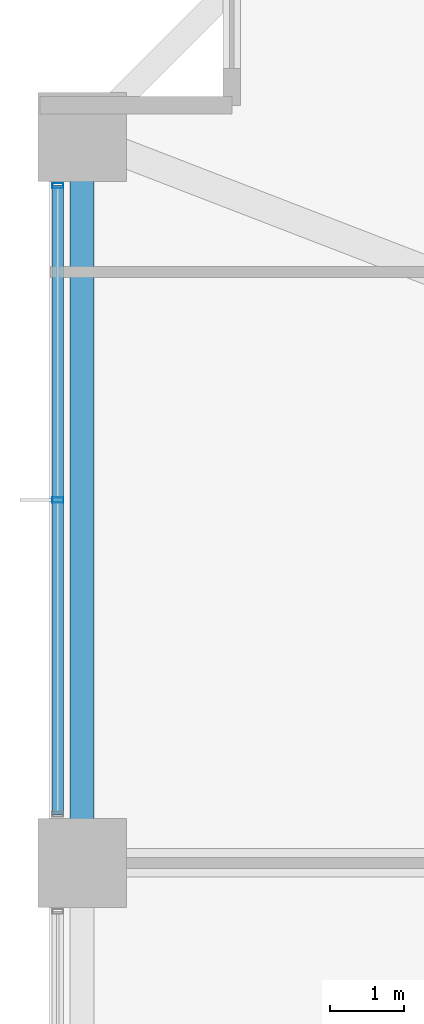
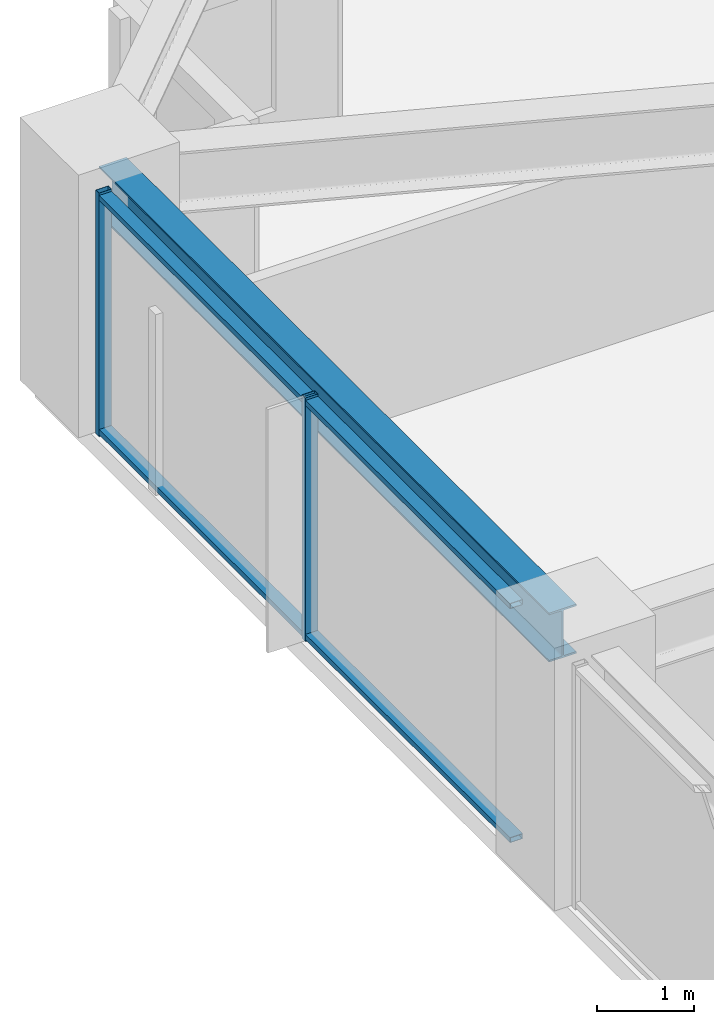
# One storey, part 17 of 38: 4 members, 1 beam, 1 element without a shape of its own.
"""IFC4 building model written with IfcOpenShell, lengths in metres."""

from ifc_helpers import new_model, si_unit, direction, frame, origin, origin_2d, place, context, subcontext, project, spatial, hollow_rectangle, i_section, extrude, material, material_profile, profile_set, type_object, element, aggregate, save


model = new_model("IFC4")

# Units and contexts
model_context = context("Model", 3, precision=1e-05, world=origin(), true_north=direction((0.0, 1.0)))
body_context = subcontext(model_context, "Body", "Model", "MODEL_VIEW")
ifc_project = project(units=[si_unit("LENGTHUNIT", "METRE"), si_unit("AREAUNIT", "SQUARE_METRE"), si_unit("VOLUMEUNIT", "CUBIC_METRE"), si_unit("PLANEANGLEUNIT", "RADIAN"), si_unit("MASSUNIT", "GRAM", prefix="KILO")], contexts=[model_context])

# Site, building, storey
site_placement = place(None, origin())
site = spatial("IfcSite", under=ifc_project, at=site_placement, CompositionType="ELEMENT")
building_placement = place(site_placement, origin())
building = spatial("IfcBuilding", under=site, at=building_placement, Name="Kolvaren Belvedere", CompositionType="ELEMENT")
storey_placement = place(building_placement, frame((0.0, 0.0, 30.39990234375)))
storey = spatial("IfcBuildingStorey", under=building, at=storey_placement, Name="L08", CompositionType="ELEMENT", Elevation=30.39990234375)

# Beam
ifc_material_1 = material(Name="Structural steel ASTM A992 Grade 50", Category="steel")
ifc_material_profile_1 = material_profile(ifc_material_1, i_section(OverallWidth=0.324951171875, OverallDepth=0.615966796875, WebThickness=0.013916015625, FlangeThickness=0.021484375, FilletRadius=0.02001953125, at=origin_2d()), Name="W24X117")
ifc_profile_set_1 = profile_set([ifc_material_profile_1], Name="Structural steel ASTM A992 Grade 50")
beam_type = type_object("IfcBeamType", Name="BM-SPAN-W24X117", PredefinedType="SPANDREL", material=ifc_profile_set_1)
beam_placement = place(storey_placement, frame((-21.550048828125, 14.1298828125, 2.752197265625), z_axis=(0.0, -1.0, 0.0), x_axis=(1.0, 0.0, 0.0)))
element("IfcBeam", 1, at=beam_placement, inside=storey, type_object=beam_type, Name="L08 Perimeter Spandrel W4-W3", PredefinedType="SPANDREL", context=body_context, shape_type="SweptSolid", body=[
    extrude(i_section(OverallWidth=0.324951171875, OverallDepth=0.615966796875, WebThickness=0.013916015625, FlangeThickness=0.021484375, FilletRadius=0.02001953125, at=origin_2d()), origin(), (0.0, 0.0, 1.0), 9.259765625),
])

# Curtain wall, members
ifc_material_2 = material(Name="Anodised pale-metal aluminium AA 6063-T6", Category="aluminium")
curtain_wall_type = type_object("IfcCurtainWallType", Name="CW-Z1-LOW", PredefinedType="NOTDEFINED", material=ifc_material_2)
curtain_wall_placement = place(storey_placement, origin())
curtain_wall = element("IfcCurtainWall", 2, at=curtain_wall_placement, inside=storey, type_object=curtain_wall_type, Name="L08 Unitised Curtain Wall FCW-L08-W-B3", PredefinedType="NOTDEFINED")
ifc_material_3 = material(Name="Anodised pale-metal aluminium AA 6063-T6", Category="aluminium")
ifc_material_profile_2 = material_profile(ifc_material_3, hollow_rectangle(XDim=0.070068359375, YDim=0.14990234375, WallThickness=0.004150390625, at=origin_2d()), Name="ALU-MUL-150X70")
ifc_profile_set_2 = profile_set([ifc_material_profile_2], Name="Anodised pale-metal aluminium AA 6063-T6")
member_type_1 = type_object("IfcMemberType", Name="CW-MUL-150", PredefinedType="MULLION", material=ifc_profile_set_2)
member_1_placement = place(storey_placement, frame((-21.8798828125, 9.5, 0.0), z_axis=(0.0, 0.0, 1.0), x_axis=(0.0, 1.0, 0.0)))
member_1 = element("IfcMember", 3, at=member_1_placement, type_object=member_type_1, Name="FCW-L08-W-B3 Unitised Mullion 2", PredefinedType="MULLION", context=body_context, shape_type="SweptSolid", body=[
    extrude(hollow_rectangle(XDim=0.070068359375, YDim=0.14990234375, WallThickness=0.004150390625, at=origin_2d()), origin(), (0.0, 0.0, 1.0), 3.06005859375),
])
member_2_placement = place(storey_placement, frame((-21.8798828125, 13.7451171875, 0.0), z_axis=(0.0, 0.0, 1.0), x_axis=(0.0, 1.0, 0.0)))
member_2 = element("IfcMember", 4, at=member_2_placement, type_object=member_type_1, Name="FCW-L08-W-B3 Unitised Mullion 3", PredefinedType="MULLION", context=body_context, shape_type="SweptSolid", body=[
    extrude(hollow_rectangle(XDim=0.070068359375, YDim=0.14990234375, WallThickness=0.004150390625, at=origin_2d()), origin(), (0.0, 0.0, 1.0), 3.06005859375),
])
ifc_material_4 = material(Name="Anodised pale-metal aluminium AA 6063-T6", Category="aluminium")
ifc_material_profile_3 = material_profile(ifc_material_4, hollow_rectangle(XDim=0.06494140625, YDim=0.14990234375, WallThickness=0.00390625, at=origin_2d()), Name="ALU-TRN-150X65")
ifc_profile_set_3 = profile_set([ifc_material_profile_3], Name="Anodised pale-metal aluminium AA 6063-T6")
member_type_2 = type_object("IfcMemberType", Name="CW-TRN-150", PredefinedType="USERDEFINED", material=ifc_profile_set_3)
member_3_placement = place(storey_placement, frame((-21.8798828125, 5.2548828125, 0.06005859375), z_axis=(0.0, 1.0, 0.0), x_axis=(0.0, 0.0, 1.0)))
member_3 = element("IfcMember", 5, at=member_3_placement, type_object=member_type_2, Name="FCW-L08-W-B3 Sill Transom", ObjectType="TRANSOM", PredefinedType="USERDEFINED", context=body_context, shape_type="SweptSolid", body=[
    extrude(hollow_rectangle(XDim=0.06494140625, YDim=0.14990234375, WallThickness=0.00390625, at=origin_2d()), origin(), (0.0, 0.0, 1.0), 8.490234375),
])
member_4_placement = place(storey_placement, frame((-21.8798828125, 5.2548828125, 3.0), z_axis=(0.0, 1.0, 0.0), x_axis=(0.0, 0.0, 1.0)))
member_4 = element("IfcMember", 6, at=member_4_placement, type_object=member_type_2, Name="FCW-L08-W-B3 Head Transom", ObjectType="TRANSOM", PredefinedType="USERDEFINED", context=body_context, shape_type="SweptSolid", body=[
    extrude(hollow_rectangle(XDim=0.06494140625, YDim=0.14990234375, WallThickness=0.00390625, at=origin_2d()), origin(), (0.0, 0.0, 1.0), 8.490234375),
])
aggregate(curtain_wall, [member_1, member_2, member_3, member_4])

save(model, "model.ifc")
